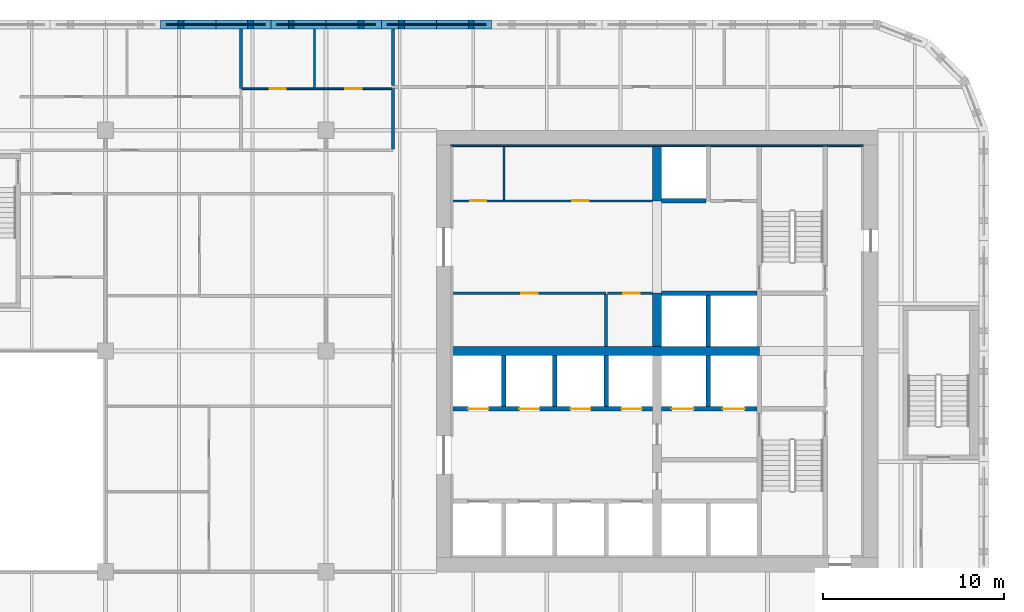
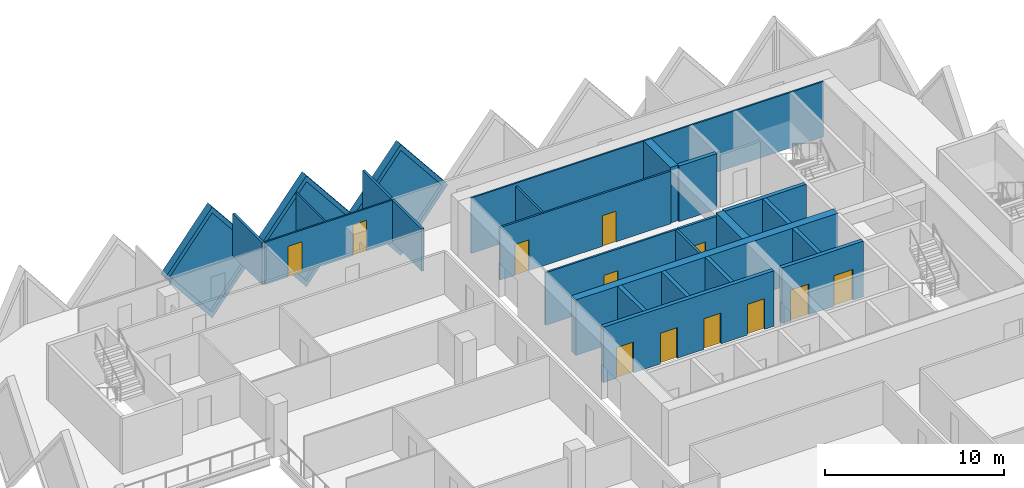
# One storey, part 9 of 21: 26 walls, 12 doors, 3 plates, 15 openings.
"""IFC4 building model written with IfcOpenShell, lengths in metres."""

from ifc_helpers import new_model, si_unit, direction, frame, frame_2d, origin, place, context, subcontext, project, spatial, polyline, rectangle, outline, extrude, faceted_brep, source, transform, mapped, material, layer, layer_set, type_object, element, fill, save


model = new_model("IFC4")

# Units and contexts
model_context = context("Model", 3, precision=1e-05, world=origin(), true_north=direction((0.0, 1.0)))
body_context = subcontext(model_context, "Body", "Model", "MODEL_VIEW")
ifc_project = project(units=[si_unit("LENGTHUNIT", "METRE"), si_unit("AREAUNIT", "SQUARE_METRE"), si_unit("VOLUMEUNIT", "CUBIC_METRE"), si_unit("PLANEANGLEUNIT", "RADIAN"), si_unit("MASSUNIT", "GRAM", prefix="KILO")], contexts=[model_context])

# Site, building, storey
site_placement = place(None, origin())
site = spatial("IfcSite", under=ifc_project, at=site_placement, CompositionType="ELEMENT")
building_placement = place(site_placement, origin())
building = spatial("IfcBuilding", under=site, at=building_placement, Name="Tessera Gate Towers", CompositionType="ELEMENT")
storey_placement = place(building_placement, frame((0.0, 0.0, 91.39990234375)))
storey = spatial("IfcBuildingStorey", under=building, at=storey_placement, Name="L22", CompositionType="ELEMENT", Elevation=91.39990234375)

# Wall, openings, doors
ifc_material_1 = material(Name="Concrete C40/50", Category="concrete")
ifc_layer_1 = layer(ifc_material_1, 0.25)
ifc_layer_set_1 = layer_set([ifc_layer_1], Name="CORE ENCLOSURE WALL 250")
wall_type_1 = type_object("IfcWallType", Name="CORE ENCLOSURE WALL 250", PredefinedType="SOLIDWALL", material=ifc_layer_set_1)
wall_1_placement = place(storey_placement, frame((42.449951171875, 33.39990234375, 0.0), z_axis=(0.0, 0.0, 1.0), x_axis=(-1.0, 0.0, 0.0)))
wall_1 = element("IfcWall", 1, at=wall_1_placement, inside=storey, type_object=wall_type_1, Name="L22 shaft and stair enclosure wall", PredefinedType="SOLIDWALL", context=body_context, shape_type="SweptSolid", body=[
    extrude(rectangle(XDim=11.050048828125, YDim=0.25, at=frame_2d((5.52490234375, 0.0))), origin(), (0.0, 0.0, 1.0), 3.800048828125),
])
shared_shape_1 = source(origin(), body_context, "Body", "SweptSolid", [
    extrude(rectangle(XDim=1.10009765625, YDim=2.10009765625, at=frame_2d((0.550048828125, 1.050048828125))), frame((0.0, 0.135009765625, 0.0), z_axis=(0.0, -1.0, 0.0), x_axis=(1.0, 0.0, 0.0)), (0.0, 0.0, 1.0), 0.27001953125),
])
opening_1_placement = place(wall_1_placement, frame((9.08740234375, 0.0, 0.0)))
opening_1 = element("IfcOpeningElement", 2, at=opening_1_placement, cuts=wall_1, Name="Opening LD-LR5", PredefinedType="OPENING", context=body_context, shape_type="MappedRepresentation", body=[
    mapped(shared_shape_1, transform((0.0, 0.0, 0.0), scale=1.0)),
])
opening_2_placement = place(wall_1_placement, frame((6.262451171875, 0.0, 0.0)))
opening_2 = element("IfcOpeningElement", 3, at=opening_2_placement, cuts=wall_1, Name="Opening LD-LR6", PredefinedType="OPENING", context=body_context, shape_type="MappedRepresentation", body=[
    mapped(shared_shape_1, transform((0.0, 0.0, 0.0), scale=1.0)),
])
opening_3_placement = place(wall_1_placement, frame((3.4375, 0.0, 0.0)))
opening_3 = element("IfcOpeningElement", 4, at=opening_3_placement, cuts=wall_1, Name="Opening LD-LR7", PredefinedType="OPENING", context=body_context, shape_type="MappedRepresentation", body=[
    mapped(shared_shape_1, transform((0.0, 0.0, 0.0), scale=1.0)),
])
opening_4_placement = place(wall_1_placement, frame((0.612548828125, 0.0, 0.0)))
opening_4 = element("IfcOpeningElement", 5, at=opening_4_placement, cuts=wall_1, Name="Opening LD-LR8", PredefinedType="OPENING", context=body_context, shape_type="MappedRepresentation", body=[
    mapped(shared_shape_1, transform((0.0, 0.0, 0.0), scale=1.0)),
])
ifc_material_2 = material(Name="Stainless steel", Category="steel")
door_type_1 = type_object("IfcDoorType", Name="CORE DOOR LD 1100x2100", OperationType="DOUBLE_DOOR_SLIDING", PredefinedType="DOOR", material=ifc_material_2)
shared_shape_2 = source(origin(), body_context, "Body", "SweptSolid", [
    extrude(rectangle(XDim=1.10009765625, YDim=2.10009765625, at=frame_2d((0.550048828125, 1.050048828125))), frame((0.0, 0.02490234375, 0.0), z_axis=(0.0, -1.0, 0.0), x_axis=(1.0, 0.0, 0.0)), (0.0, 0.0, 1.0), 0.050048828125),
])
door_1_placement = place(opening_1_placement, origin())
door_1 = element("IfcDoor", 6, at=door_1_placement, inside=storey, type_object=door_type_1, Name="Landing door LR5 L22", OperationType="DOUBLE_DOOR_SLIDING", OverallHeight=2.10009765625, OverallWidth=1.10009765625, PredefinedType="DOOR", context=body_context, shape_type="MappedRepresentation", body=[
    mapped(shared_shape_2, transform((0.0, 0.0, 0.0), scale=1.0)),
])
fill(opening_1, door_1)
door_2_placement = place(opening_2_placement, origin())
door_2 = element("IfcDoor", 7, at=door_2_placement, inside=storey, type_object=door_type_1, Name="Landing door LR6 L22", OperationType="DOUBLE_DOOR_SLIDING", OverallHeight=2.10009765625, OverallWidth=1.10009765625, PredefinedType="DOOR", context=body_context, shape_type="MappedRepresentation", body=[
    mapped(shared_shape_2, transform((0.0, 0.0, 0.0), scale=1.0)),
])
fill(opening_2, door_2)
door_3_placement = place(opening_3_placement, origin())
door_3 = element("IfcDoor", 8, at=door_3_placement, inside=storey, type_object=door_type_1, Name="Landing door LR7 L22", OperationType="DOUBLE_DOOR_SLIDING", OverallHeight=2.10009765625, OverallWidth=1.10009765625, PredefinedType="DOOR", context=body_context, shape_type="MappedRepresentation", body=[
    mapped(shared_shape_2, transform((0.0, 0.0, 0.0), scale=1.0)),
])
fill(opening_3, door_3)
door_4_placement = place(opening_4_placement, origin())
door_4 = element("IfcDoor", 9, at=door_4_placement, inside=storey, type_object=door_type_1, Name="Landing door LR8 L22", OperationType="DOUBLE_DOOR_SLIDING", OverallHeight=2.10009765625, OverallWidth=1.10009765625, PredefinedType="DOOR", context=body_context, shape_type="MappedRepresentation", body=[
    mapped(shared_shape_2, transform((0.0, 0.0, 0.0), scale=1.0)),
])
fill(opening_4, door_4)

wall_2_placement = place(storey_placement, frame((48.22509765625, 33.39990234375, 0.0), z_axis=(0.0, 0.0, 1.0), x_axis=(-1.0, 0.0, 0.0)))
wall_2 = element("IfcWall", 10, at=wall_2_placement, inside=storey, type_object=wall_type_1, Name="L22 shaft and stair enclosure wall", PredefinedType="SOLIDWALL", context=body_context, shape_type="SweptSolid", body=[
    extrude(rectangle(XDim=5.275146484375, YDim=0.25, at=frame_2d((2.6376953125, 0.0))), origin(), (0.0, 0.0, 1.0), 3.800048828125),
])
shared_shape_3 = source(origin(), body_context, "Body", "SweptSolid", [
    extrude(rectangle(XDim=1.199951171875, YDim=2.10009765625, at=frame_2d((0.60009765625, 1.050048828125))), frame((0.0, 0.135009765625, 0.0), z_axis=(0.0, -1.0, 0.0), x_axis=(1.0, 0.0, 0.0)), (0.0, 0.0, 1.0), 0.27001953125),
])
opening_5_placement = place(wall_2_placement, frame((3.512451171875, 0.0, 0.0)))
opening_5 = element("IfcOpeningElement", 11, at=opening_5_placement, cuts=wall_2, Name="Opening LD-FF1", PredefinedType="OPENING", context=body_context, shape_type="MappedRepresentation", body=[
    mapped(shared_shape_3, transform((0.0, 0.0, 0.0), scale=1.0)),
])
opening_6_placement = place(wall_2_placement, frame((0.6875, 0.0, 0.0)))
opening_6 = element("IfcOpeningElement", 12, at=opening_6_placement, cuts=wall_2, Name="Opening LD-FF2", PredefinedType="OPENING", context=body_context, shape_type="MappedRepresentation", body=[
    mapped(shared_shape_3, transform((0.0, 0.0, 0.0), scale=1.0)),
])
ifc_material_3 = material(Name="Stainless steel", Category="steel")
door_type_2 = type_object("IfcDoorType", Name="CORE DOOR LD1200 1200x2100", OperationType="DOUBLE_DOOR_SLIDING", PredefinedType="DOOR", material=ifc_material_3)
shared_shape_4 = source(origin(), body_context, "Body", "SweptSolid", [
    extrude(rectangle(XDim=1.199951171875, YDim=2.10009765625, at=frame_2d((0.60009765625, 1.050048828125))), frame((0.0, 0.02490234375, 0.0), z_axis=(0.0, -1.0, 0.0), x_axis=(1.0, 0.0, 0.0)), (0.0, 0.0, 1.0), 0.050048828125),
])
door_5_placement = place(opening_5_placement, origin())
door_5 = element("IfcDoor", 13, at=door_5_placement, inside=storey, type_object=door_type_2, Name="Landing door FF1 L22", OperationType="DOUBLE_DOOR_SLIDING", OverallHeight=2.10009765625, OverallWidth=1.199951171875, PredefinedType="DOOR", context=body_context, shape_type="MappedRepresentation", body=[
    mapped(shared_shape_4, transform((0.0, 0.0, 0.0), scale=1.0)),
])
fill(opening_5, door_5)
door_6_placement = place(opening_6_placement, origin())
door_6 = element("IfcDoor", 14, at=door_6_placement, inside=storey, type_object=door_type_2, Name="Landing door FF2 L22", OperationType="DOUBLE_DOOR_SLIDING", OverallHeight=2.10009765625, OverallWidth=1.199951171875, PredefinedType="DOOR", context=body_context, shape_type="MappedRepresentation", body=[
    mapped(shared_shape_4, transform((0.0, 0.0, 0.0), scale=1.0)),
])
fill(opening_6, door_6)

# Walls
wall_3_placement = place(storey_placement, frame((42.949951171875, 39.800048828125, 0.0), z_axis=(0.0, 0.0, 1.0), x_axis=(1.0, 0.0, 0.0)))
element("IfcWall", 15, at=wall_3_placement, inside=storey, type_object=wall_type_1, Name="L22 shaft and stair enclosure wall", PredefinedType="SOLIDWALL", context=body_context, shape_type="SweptSolid", body=[
    extrude(rectangle(XDim=5.275146484375, YDim=0.25, at=frame_2d((2.6376953125, 0.0))), origin(), (0.0, 0.0, 1.0), 3.800048828125),
])
wall_4_placement = place(storey_placement, frame((45.52490234375, 33.52490234375, 0.0), z_axis=(0.0, 0.0, 1.0), x_axis=(0.0, 1.0, 0.0)))
element("IfcWall", 16, at=wall_4_placement, inside=storey, type_object=wall_type_1, Name="L22 shaft and stair enclosure wall", PredefinedType="SOLIDWALL", context=body_context, shape_type="SweptSolid", body=[
    extrude(rectangle(XDim=2.8251953125, YDim=0.25, at=frame_2d((1.41259765625, 0.0))), origin(), (0.0, 0.0, 1.0), 3.800048828125),
])
wall_5_placement = place(storey_placement, frame((45.52490234375, 36.85009765625, 0.0), z_axis=(0.0, 0.0, 1.0), x_axis=(0.0, 1.0, 0.0)))
element("IfcWall", 17, at=wall_5_placement, inside=storey, type_object=wall_type_1, Name="L22 shaft and stair enclosure wall", PredefinedType="SOLIDWALL", context=body_context, shape_type="SweptSolid", body=[
    extrude(rectangle(XDim=2.824951171875, YDim=0.25, at=frame_2d((1.41259765625, 0.0))), origin(), (0.0, 0.0, 1.0), 3.800048828125),
])
for number, where, z_axis, x_axis, name in (
    (18, (34.22509765625, 33.52490234375, 0.0), (0.0, 0.0, 1.0), (0.0, 1.0, 0.0), "L22 shaft and stair enclosure wall"),
    (19, (37.050048828125, 33.52490234375, 0.0), (0.0, 0.0, 1.0), (0.0, 1.0, 0.0), "L22 shaft and stair enclosure wall"),
    (20, (39.875, 33.52490234375, 0.0), (0.0, 0.0, 1.0), (0.0, 1.0, 0.0), "L22 shaft and stair enclosure wall"),
):
    element("IfcWall", number, at=place(storey_placement, frame(where, z_axis=z_axis, x_axis=x_axis)), inside=storey, type_object=wall_type_1, Name=name, PredefinedType="SOLIDWALL", context=body_context, shape_type="SweptSolid", body=[
        extrude(rectangle(XDim=2.8251953125, YDim=0.25, at=frame_2d((1.41259765625, 0.0))), origin(), (0.0, 0.0, 1.0), 3.800048828125),
    ])
wall_6_placement = place(storey_placement, frame((42.949951171875, 44.89990234375, 0.0), z_axis=(0.0, 0.0, 1.0), x_axis=(1.0, 0.0, 0.0)))
element("IfcWall", 21, at=wall_6_placement, inside=storey, type_object=wall_type_1, Name="L22 shaft and stair enclosure wall", PredefinedType="SOLIDWALL", context=body_context, shape_type="SweptSolid", body=[
    extrude(rectangle(XDim=2.449951171875, YDim=0.25, at=frame_2d((1.22509765625, 0.0))), origin(), (0.0, 0.0, 1.0), 3.800048828125),
])

# Wall, openings, doors
ifc_material_4 = material(Name="Gypsum board on steel studs", Category="steel")
ifc_layer_2 = layer(ifc_material_4, 0.1201171875)
ifc_layer_set_2 = layer_set([ifc_layer_2], Name="CORE PARTITION 120")
wall_type_2 = type_object("IfcWallType", Name="CORE PARTITION 120", PredefinedType="PARTITIONING", material=ifc_layer_set_2)
wall_7_placement = place(storey_placement, frame((31.39990234375, 44.89990234375, 0.0), z_axis=(0.0, 0.0, 1.0), x_axis=(1.0, 0.0, 0.0)))
wall_7 = element("IfcWall", 22, at=wall_7_placement, inside=storey, type_object=wall_type_2, Name="L22 core partition", PredefinedType="PARTITIONING", context=body_context, shape_type="SweptSolid", body=[
    extrude(rectangle(XDim=11.050048828125, YDim=0.1201171875, at=frame_2d((5.52490234375, 0.0))), origin(), (0.0, 0.0, 1.0), 3.60009765625),
])
shared_shape_5 = source(origin(), body_context, "Body", "SweptSolid", [
    extrude(rectangle(XDim=0.89990234375, YDim=2.10009765625, at=frame_2d((0.449951171875, 1.050048828125))), frame((0.0, 0.070068359375, 0.0), z_axis=(0.0, -1.0, 0.0), x_axis=(1.0, 0.0, 0.0)), (0.0, 0.0, 1.0), 0.14013671875),
])
opening_7_placement = place(wall_7_placement, frame((0.96240234375, 0.0, 0.0)))
opening_7 = element("IfcOpeningElement", 23, at=opening_7_placement, cuts=wall_7, Name="Opening RD-T1-15-07", PredefinedType="OPENING", context=body_context, shape_type="MappedRepresentation", body=[
    mapped(shared_shape_5, transform((0.0, 0.0, 0.0), scale=1.0)),
])
opening_8_placement = place(wall_7_placement, frame((6.612548828125, 0.0, 0.0)))
opening_8 = element("IfcOpeningElement", 24, at=opening_8_placement, cuts=wall_7, Name="Opening RD-T1-15-08", PredefinedType="OPENING", context=body_context, shape_type="MappedRepresentation", body=[
    mapped(shared_shape_5, transform((0.0, 0.0, 0.0), scale=1.0)),
])
ifc_material_5 = material(Name="Hollow steel fire door", Category="steel")
door_type_3 = type_object("IfcDoorType", Name="CORE DOOR RD 900x2100", OperationType="NOTDEFINED", PredefinedType="DOOR", material=ifc_material_5)
shared_shape_6 = source(origin(), body_context, "Body", "SweptSolid", [
    extrude(rectangle(XDim=0.89990234375, YDim=2.10009765625, at=frame_2d((0.449951171875, 1.050048828125))), frame((0.0, 0.02490234375, 0.0), z_axis=(0.0, -1.0, 0.0), x_axis=(1.0, 0.0, 0.0)), (0.0, 0.0, 1.0), 0.050048828125),
])
door_7_placement = place(opening_7_placement, origin())
door_7 = element("IfcDoor", 25, at=door_7_placement, inside=storey, type_object=door_type_3, Name="Core room door", OperationType="SINGLE_SWING_LEFT", OverallHeight=2.10009765625, OverallWidth=0.89990234375, PredefinedType="DOOR", context=body_context, shape_type="MappedRepresentation", body=[
    mapped(shared_shape_6, transform((0.0, 0.0, 0.0), scale=1.0)),
])
fill(opening_7, door_7)
door_8_placement = place(opening_8_placement, origin())
door_8 = element("IfcDoor", 26, at=door_8_placement, inside=storey, type_object=door_type_3, Name="Core room door", OperationType="SINGLE_SWING_RIGHT", OverallHeight=2.10009765625, OverallWidth=0.89990234375, PredefinedType="DOOR", context=body_context, shape_type="MappedRepresentation", body=[
    mapped(shared_shape_6, transform((0.0, 0.0, 0.0), scale=1.0)),
])
fill(opening_8, door_8)

# Wall, opening, door
wall_8_placement = place(storey_placement, frame((39.875, 39.800048828125, 0.0), z_axis=(0.0, 0.0, 1.0), x_axis=(-1.0, 0.0, 0.0)))
wall_8 = element("IfcWall", 27, at=wall_8_placement, inside=storey, type_object=wall_type_2, Name="L22 core partition", PredefinedType="PARTITIONING", context=body_context, shape_type="SweptSolid", body=[
    extrude(rectangle(XDim=8.47509765625, YDim=0.1201171875, at=frame_2d((4.237548828125, 0.0))), origin(), (0.0, 0.0, 1.0), 3.60009765625),
])
opening_9_placement = place(wall_8_placement, frame((3.78759765625, 0.0, 0.0)))
opening_9 = element("IfcOpeningElement", 28, at=opening_9_placement, cuts=wall_8, Name="Opening RD-T1-15-09", PredefinedType="OPENING", context=body_context, shape_type="MappedRepresentation", body=[
    mapped(shared_shape_5, transform((0.0, 0.0, 0.0), scale=1.0)),
])
door_9_placement = place(opening_9_placement, origin())
door_9 = element("IfcDoor", 29, at=door_9_placement, inside=storey, type_object=door_type_3, Name="Core room door", OperationType="SINGLE_SWING_RIGHT", OverallHeight=2.10009765625, OverallWidth=0.89990234375, PredefinedType="DOOR", context=body_context, shape_type="MappedRepresentation", body=[
    mapped(shared_shape_6, transform((0.0, 0.0, 0.0), scale=1.0)),
])
fill(opening_9, door_9)

# Walls
wall_9_placement = place(storey_placement, frame((34.22509765625, 44.9599609375, 0.0), z_axis=(0.0, 0.0, 1.0), x_axis=(0.0, 1.0, 0.0)))
element("IfcWall", 30, at=wall_9_placement, inside=storey, type_object=wall_type_2, Name="L22 core partition", PredefinedType="PARTITIONING", context=body_context, shape_type="SweptSolid", body=[
    extrude(rectangle(XDim=2.93994140625, YDim=0.1201171875, at=frame_2d((1.469970703125, 0.0))), origin(), (0.0, 0.0, 1.0), 3.60009765625),
])
ifc_material_6 = material(Name="Concrete C60/75", Category="concrete")
ifc_layer_3 = layer(ifc_material_6, 0.5)
ifc_layer_set_3 = layer_set([ifc_layer_3], Name="CORE SPINE WALL 500 C60/75")
wall_type_3 = type_object("IfcWallType", Name="CORE SPINE WALL 500 C60/75", PredefinedType="SHEAR", material=ifc_layer_set_3)
wall_10_placement = place(storey_placement, frame((31.39990234375, 36.60009765625, 0.0), z_axis=(0.0, 0.0, 1.0), x_axis=(1.0, 0.0, 0.0)))
element("IfcWall", 31, at=wall_10_placement, inside=storey, type_object=wall_type_3, Name="Core wall spine L22", PredefinedType="SHEAR", context=body_context, shape_type="SweptSolid", body=[
    extrude(rectangle(XDim=16.9501953125, YDim=0.5, at=frame_2d((8.47509765625, 0.0))), origin(), (0.0, 0.0, 1.0), 3.800048828125),
])
wall_11_placement = place(storey_placement, frame((42.699951171875, 36.85009765625, 0.0), z_axis=(0.0, 0.0, 1.0), x_axis=(0.0, 1.0, 0.0)))
element("IfcWall", 32, at=wall_11_placement, inside=storey, type_object=wall_type_3, Name="Core wall spine L22", PredefinedType="SHEAR", context=body_context, shape_type="SweptSolid", body=[
    extrude(rectangle(XDim=2.949951171875, YDim=0.5, at=frame_2d((1.47509765625, 0.0))), origin(), (0.0, 0.0, 1.0), 3.800048828125),
])
wall_12_placement = place(storey_placement, frame((42.699951171875, 44.89990234375, 0.0), z_axis=(0.0, 0.0, 1.0), x_axis=(0.0, 1.0, 0.0)))
element("IfcWall", 33, at=wall_12_placement, inside=storey, type_object=wall_type_3, Name="Core wall spine L22", PredefinedType="SHEAR", context=body_context, shape_type="SweptSolid", body=[
    extrude(rectangle(XDim=3.0, YDim=0.5, at=frame_2d((1.5, 0.0))), origin(), (0.0, 0.0, 1.0), 3.800048828125),
])
ifc_material_7 = material(Name="Concrete C60/75", Category="concrete")
ifc_layer_4 = layer(ifc_material_7, 0.10009765625)
ifc_layer_set_4 = layer_set([ifc_layer_4], Name="CORE WALL THICKENING 100")
wall_type_4 = type_object("IfcWallType", Name="CORE WALL THICKENING 100", PredefinedType="SOLIDWALL", material=ifc_layer_set_4)
wall_13_placement = place(storey_placement, frame((31.300048828125, 47.949951171875, 0.0), z_axis=(0.0, 0.0, 1.0), x_axis=(1.0, 0.0, 0.0)))
element("IfcWall", 34, at=wall_13_placement, inside=storey, type_object=wall_type_4, Name="Core wall thickening N L22", PredefinedType="SOLIDWALL", context=body_context, shape_type="SweptSolid", body=[
    extrude(rectangle(XDim=22.800048828125, YDim=0.10009765625, at=frame_2d((11.39990234375, 0.0))), origin(), (0.0, 0.0, 1.0), 3.800048828125),
])
ifc_material_8 = material(Name="Gypsum board on steel studs, mineral wool", Category="steel")
ifc_layer_5 = layer(ifc_material_8, 0.14990234375)
ifc_layer_set_5 = layer_set([ifc_layer_5], Name="CORRIDOR WALL 150")
wall_type_5 = type_object("IfcWallType", Name="CORRIDOR WALL 150", PredefinedType="PARTITIONING", material=ifc_layer_set_5)
wall_14_placement = place(storey_placement, frame((28.10009765625, 47.77587890625, 0.0), z_axis=(0.0, 0.0, 1.0), x_axis=(0.0, 1.0, 0.0)))
element("IfcWall", 35, at=wall_14_placement, inside=storey, type_object=wall_type_5, Name="T1-L22-PW-044", PredefinedType="PARTITIONING", context=body_context, shape_type="SweptSolid", body=[
    extrude(rectangle(XDim=3.32421875, YDim=0.14990234375, at=frame_2d((1.662109375, 0.0))), origin(), (0.0, 0.0, 1.0), 2.89501953125),
])

# Wall, openings, doors
ifc_material_9 = material(Name="Gypsum board on steel studs", Category="steel")
ifc_layer_6 = layer(ifc_material_9, 0.10009765625)
ifc_layer_set_6 = layer_set([ifc_layer_6], Name="PARTITION 100")
wall_type_6 = type_object("IfcWallType", Name="PARTITION 100", PredefinedType="PARTITIONING", material=ifc_layer_set_6)
wall_15_placement = place(storey_placement, frame((19.77587890625, 51.10009765625, 0.0), z_axis=(0.0, 0.0, 1.0), x_axis=(1.0, 0.0, 0.0)))
wall_15 = element("IfcWall", 36, at=wall_15_placement, inside=storey, type_object=wall_type_6, Name="T1-L22-PW-052", PredefinedType="PARTITIONING", context=body_context, shape_type="SweptSolid", body=[
    extrude(rectangle(XDim=8.248046875, YDim=0.10009765625, at=frame_2d((4.1240234375, 0.0))), origin(), (0.0, 0.0, 1.0), 2.89501953125),
])
shared_shape_7 = source(origin(), body_context, "Body", "SweptSolid", [
    extrude(rectangle(XDim=0.89990234375, YDim=2.10009765625, at=frame_2d((0.449951171875, 1.050048828125))), frame((0.0, 0.06005859375, 0.0), z_axis=(0.0, -1.0, 0.0), x_axis=(1.0, 0.0, 0.0)), (0.0, 0.0, 1.0), 0.1201171875),
])
opening_10_placement = place(wall_15_placement, frame((1.5, 0.0, 0.0)))
opening_10 = element("IfcOpeningElement", 37, at=opening_10_placement, cuts=wall_15, Name="Opening D190-A08-01", PredefinedType="OPENING", context=body_context, shape_type="MappedRepresentation", body=[
    mapped(shared_shape_7, transform((0.0, 0.0, 0.0), scale=1.0)),
])
opening_11_placement = place(wall_15_placement, frame((5.681884765625, 0.0, 0.0)))
opening_11 = element("IfcOpeningElement", 38, at=opening_11_placement, cuts=wall_15, Name="Opening D190-A08-02", PredefinedType="OPENING", context=body_context, shape_type="MappedRepresentation", body=[
    mapped(shared_shape_7, transform((0.0, 0.0, 0.0), scale=1.0)),
])
ifc_material_10 = material(Name="Timber door leaf in steel frame", Category="steel")
door_type_4 = type_object("IfcDoorType", Name="INTERNAL DOOR 900 NOT RATED", OperationType="NOTDEFINED", PredefinedType="DOOR", material=ifc_material_10)
door_10_placement = place(opening_10_placement, origin())
door_10 = element("IfcDoor", 39, at=door_10_placement, inside=storey, type_object=door_type_4, Name="T1-L22-PD-002", OperationType="SINGLE_SWING_LEFT", OverallHeight=2.10009765625, OverallWidth=0.89990234375, PredefinedType="DOOR", context=body_context, shape_type="MappedRepresentation", body=[
    mapped(shared_shape_6, transform((0.0, 0.0, 0.0), scale=1.0)),
])
fill(opening_10, door_10)
door_11_placement = place(opening_11_placement, origin())
door_11 = element("IfcDoor", 40, at=door_11_placement, inside=storey, type_object=door_type_4, Name="T1-L22-PD-003", OperationType="SINGLE_SWING_LEFT", OverallHeight=2.10009765625, OverallWidth=0.89990234375, PredefinedType="DOOR", context=body_context, shape_type="MappedRepresentation", body=[
    mapped(shared_shape_6, transform((0.0, 0.0, 0.0), scale=1.0)),
])
fill(opening_11, door_11)

# Walls
wall_16_placement = place(storey_placement, frame((23.758056640625, 51.15087890625, 0.0), z_axis=(0.0, 0.0, 1.0), x_axis=(0.0, 1.0, 0.0)))
element("IfcWall", 41, at=wall_16_placement, inside=storey, type_object=wall_type_6, Name="T1-L22-PW-053", PredefinedType="PARTITIONING", context=body_context, shape_type="SweptSolid", body=[
    extrude(rectangle(XDim=3.2490234375, YDim=0.10009765625, at=frame_2d((1.62451171875, 0.0))), origin(), (0.0, 0.0, 1.0), 2.89501953125),
])
ifc_material_11 = material(Name="Gypsum board on steel studs", Category="steel")
ifc_layer_7 = layer(ifc_material_11, 0.14990234375)
ifc_layer_set_7 = layer_set([ifc_layer_7], Name="SERVICE ROOM WALL 150")
wall_type_7 = type_object("IfcWallType", Name="SERVICE ROOM WALL 150", PredefinedType="PARTITIONING", material=ifc_layer_set_7)
wall_17_placement = place(storey_placement, frame((39.875, 36.85009765625, 0.0), z_axis=(0.0, 0.0, 1.0), x_axis=(0.0, 1.0, 0.0)))
element("IfcWall", 42, at=wall_17_placement, inside=storey, type_object=wall_type_7, Name="L22 service room wall", PredefinedType="PARTITIONING", context=body_context, shape_type="SweptSolid", body=[
    extrude(rectangle(XDim=2.889892578125, YDim=0.14990234375, at=frame_2d((1.44482421875, 0.0))), origin(), (0.0, 0.0, 1.0), 3.60009765625),
])

# Wall, opening, door
wall_18_placement = place(storey_placement, frame((42.449951171875, 39.800048828125, 0.0), z_axis=(0.0, 0.0, 1.0), x_axis=(-1.0, 0.0, 0.0)))
wall_18 = element("IfcWall", 43, at=wall_18_placement, inside=storey, type_object=wall_type_7, Name="L22 service room wall", PredefinedType="PARTITIONING", context=body_context, shape_type="SweptSolid", body=[
    extrude(rectangle(XDim=2.5, YDim=0.14990234375, at=frame_2d((1.25, 0.0))), origin(), (0.0, 0.0, 1.0), 3.60009765625),
])
shared_shape_8 = source(origin(), body_context, "Body", "SweptSolid", [
    extrude(rectangle(XDim=0.89990234375, YDim=2.10009765625, at=frame_2d((0.449951171875, 1.050048828125))), frame((0.0, 0.0849609375, 0.0), z_axis=(0.0, -1.0, 0.0), x_axis=(1.0, 0.0, 0.0)), (0.0, 0.0, 1.0), 0.169921875),
])
opening_12_placement = place(wall_18_placement, frame((0.71240234375, 0.0, 0.0)))
opening_12 = element("IfcOpeningElement", 44, at=opening_12_placement, cuts=wall_18, Name="Opening RD-T1-15-12", PredefinedType="OPENING", context=body_context, shape_type="MappedRepresentation", body=[
    mapped(shared_shape_8, transform((0.0, 0.0, 0.0), scale=1.0)),
])
door_12_placement = place(opening_12_placement, origin())
door_12 = element("IfcDoor", 45, at=door_12_placement, inside=storey, type_object=door_type_3, Name="Core room door", OperationType="SINGLE_SWING_LEFT", OverallHeight=2.10009765625, OverallWidth=0.89990234375, PredefinedType="DOOR", context=body_context, shape_type="MappedRepresentation", body=[
    mapped(shared_shape_6, transform((0.0, 0.0, 0.0), scale=1.0)),
])
fill(opening_12, door_12)

# Walls
ifc_material_12 = material(Name="Gypsum board on steel studs, mineral wool", Category="steel")
ifc_layer_8 = layer(ifc_material_12, 0.14990234375)
ifc_layer_set_8 = layer_set([ifc_layer_8], Name="TENANCY WALL 150")
wall_type_8 = type_object("IfcWallType", Name="TENANCY WALL 150", PredefinedType="PARTITIONING", material=ifc_layer_set_8)
wall_19_placement = place(storey_placement, frame((19.699951171875, 51.10009765625, 0.0), z_axis=(0.0, 0.0, 1.0), x_axis=(0.0, 1.0, 0.0)))
element("IfcWall", 46, at=wall_19_placement, inside=storey, type_object=wall_type_8, Name="T1-L22-PW-051", PredefinedType="PARTITIONING", context=body_context, shape_type="SweptSolid", body=[
    extrude(rectangle(XDim=3.2998046875, YDim=0.14990234375, at=frame_2d((1.64990234375, 0.0))), origin(), (0.0, 0.0, 1.0), 2.89501953125),
])
wall_20_placement = place(storey_placement, frame((28.10009765625, 51.27587890625, 0.0), z_axis=(0.0, 0.0, 1.0), x_axis=(0.0, 1.0, 0.0)))
element("IfcWall", 47, at=wall_20_placement, inside=storey, type_object=wall_type_8, Name="T1-L22-PW-055", PredefinedType="PARTITIONING", context=body_context, shape_type="SweptSolid", body=[
    extrude(rectangle(XDim=3.1240234375, YDim=0.14990234375, at=frame_2d((1.56201171875, 0.0))), origin(), (0.0, 0.0, 1.0), 2.89501953125),
])

# Wall, opening, plate
ifc_material_13 = material(Name="Precast concrete C60/75 white", Category="concrete")
ifc_layer_9 = layer(ifc_material_13, 0.5)
ifc_layer_set_9 = layer_set([ifc_layer_9], Name="TS1 tessera")
wall_type_9 = type_object("IfcWallType", Name="TS1 tessera", PredefinedType="SOLIDWALL", material=ifc_layer_set_9)
shared_shape_9 = source(origin(), body_context, "Body", "Brep", [
    faceted_brep([(3.050048828125, -0.25, 0.0), (6.099853515625, -0.25, 3.799560546875), (6.099853515625, -0.25, 3.800048828125), (3.050048828125, -0.25, 7.599853515625), (0.0, -0.25, 3.7998046875), (0.0, 0.25, 3.7998046875), (3.050048828125, 0.25, 7.599853515625), (6.099853515625, 0.25, 3.800048828125), (6.099853515625, 0.25, 3.799560546875), (3.050048828125, 0.25, 0.0)], [[[0, 1, 2, 3, 4]], [[5, 6, 7, 8, 9]], [[9, 8, 1, 0]], [[7, 6, 3, 2]], [[6, 5, 4, 3]], [[5, 9, 0, 4]], [[1, 8, 7, 2]]]),
])
wall_21_placement = place(storey_placement, frame((27.449951171875, 54.64990234375, -3.7998046875), z_axis=(0.0, 0.0, 1.0), x_axis=(-1.0, 0.0, 0.0)))
wall_21 = element("IfcWall", 48, at=wall_21_placement, inside=storey, type_object=wall_type_9, Name="Precast tessera T1 TS1-0359", PredefinedType="SOLIDWALL", context=body_context, shape_type="MappedRepresentation", body=[
    mapped(shared_shape_9, transform((0.0, 0.0, 0.0), scale=1.0)),
])
shared_shape_10 = source(origin(), body_context, "Body", "SweptSolid", [
    extrude(outline(polyline([(3.050048828125, 0.3994140625), (5.779541015625, 3.7998046875), (3.050048828125, 7.200439453125), (0.320556640625, 3.7998046875), (3.050048828125, 0.3994140625)])), frame((0.0, 0.260009765625, 0.0), z_axis=(0.0, -1.0, 0.0), x_axis=(1.0, 0.0, 0.0)), (0.0, 0.0, 1.0), 0.52001953125),
])
opening_13_placement = place(wall_21_placement, origin())
opening_13 = element("IfcOpeningElement", 49, at=opening_13_placement, cuts=wall_21, Name="Opening T1-PL2-0729", PredefinedType="OPENING", context=body_context, shape_type="MappedRepresentation", body=[
    mapped(shared_shape_10, transform((0.0, 0.0, 0.0), scale=1.0)),
])
ifc_material_14 = material(Name="Low-e laminated glass", Category="glass")
ifc_layer_10 = layer(ifc_material_14, 0.06005859375)
ifc_layer_set_10 = layer_set([ifc_layer_10], Name="PL2 rhombic pane")
plate_type = type_object("IfcPlateType", Name="PL2 rhombic pane", PredefinedType="SHEET", material=ifc_layer_set_10)
shared_shape_11 = source(origin(), body_context, "Body", "SweptSolid", [
    extrude(outline(polyline([(3.050048828125, 0.3994140625), (5.779541015625, 3.7998046875), (3.050048828125, 7.200439453125), (0.320556640625, 3.7998046875), (3.050048828125, 0.3994140625)])), frame((0.0, 0.030029296875, 0.0), z_axis=(0.0, -1.0, 0.0), x_axis=(1.0, 0.0, 0.0)), (0.0, 0.0, 1.0), 0.06005859375),
])
plate_1_placement = place(opening_13_placement, origin())
plate_1 = element("IfcPlate", 50, at=plate_1_placement, inside=storey, type_object=plate_type, Name="Glass pane T1 PL2-0729", PredefinedType="SHEET", context=body_context, shape_type="MappedRepresentation", body=[
    mapped(shared_shape_11, transform((0.0, 0.0, 0.0), scale=1.0)),
])
fill(opening_13, plate_1)

shared_shape_12 = source(origin(), body_context, "Body", "SweptSolid", [
    extrude(outline(polyline([(3.050048828125, 0.0), (6.10009765625, 3.7998046875), (3.050048828125, 7.599853515625), (0.0, 3.7998046875), (3.050048828125, 0.0)])), frame((0.0, 0.25, 0.0), z_axis=(0.0, -1.0, 0.0), x_axis=(1.0, 0.0, 0.0)), (0.0, 0.0, 1.0), 0.5),
])
wall_22_placement = place(storey_placement, frame((33.550048828125, 54.64990234375, -3.7998046875), z_axis=(0.0, 0.0, 1.0), x_axis=(-1.0, 0.0, 0.0)))
wall_22 = element("IfcWall", 51, at=wall_22_placement, inside=storey, type_object=wall_type_9, Name="Precast tessera T1 TS1-0358", PredefinedType="SOLIDWALL", context=body_context, shape_type="MappedRepresentation", body=[
    mapped(shared_shape_12, transform((0.0, 0.0, 0.0), scale=1.0)),
])
opening_14_placement = place(wall_22_placement, origin())
opening_14 = element("IfcOpeningElement", 52, at=opening_14_placement, cuts=wall_22, Name="Opening T1-PL2-0728", PredefinedType="OPENING", context=body_context, shape_type="MappedRepresentation", body=[
    mapped(shared_shape_10, transform((0.0, 0.0, 0.0), scale=1.0)),
])
plate_2_placement = place(opening_14_placement, origin())
plate_2 = element("IfcPlate", 53, at=plate_2_placement, inside=storey, type_object=plate_type, Name="Glass pane T1 PL2-0728", PredefinedType="SHEET", context=body_context, shape_type="MappedRepresentation", body=[
    mapped(shared_shape_11, transform((0.0, 0.0, 0.0), scale=1.0)),
])
fill(opening_14, plate_2)

wall_23_placement = place(storey_placement, frame((21.35009765625, 54.64990234375, -3.7998046875), z_axis=(0.0, 0.0, 1.0), x_axis=(-1.0, 0.0, 0.0)))
wall_23 = element("IfcWall", 54, at=wall_23_placement, inside=storey, type_object=wall_type_9, Name="Precast tessera T1 TS1-0360", PredefinedType="SOLIDWALL", context=body_context, shape_type="MappedRepresentation", body=[
    mapped(shared_shape_12, transform((0.0, 0.0, 0.0), scale=1.0)),
])
opening_15_placement = place(wall_23_placement, origin())
opening_15 = element("IfcOpeningElement", 55, at=opening_15_placement, cuts=wall_23, Name="Opening T1-PL2-0730", PredefinedType="OPENING", context=body_context, shape_type="MappedRepresentation", body=[
    mapped(shared_shape_10, transform((0.0, 0.0, 0.0), scale=1.0)),
])
plate_3_placement = place(opening_15_placement, origin())
plate_3 = element("IfcPlate", 56, at=plate_3_placement, inside=storey, type_object=plate_type, Name="Glass pane T1 PL2-0730", PredefinedType="SHEET", context=body_context, shape_type="MappedRepresentation", body=[
    mapped(shared_shape_11, transform((0.0, 0.0, 0.0), scale=1.0)),
])
fill(opening_15, plate_3)

save(model, "model.ifc")
